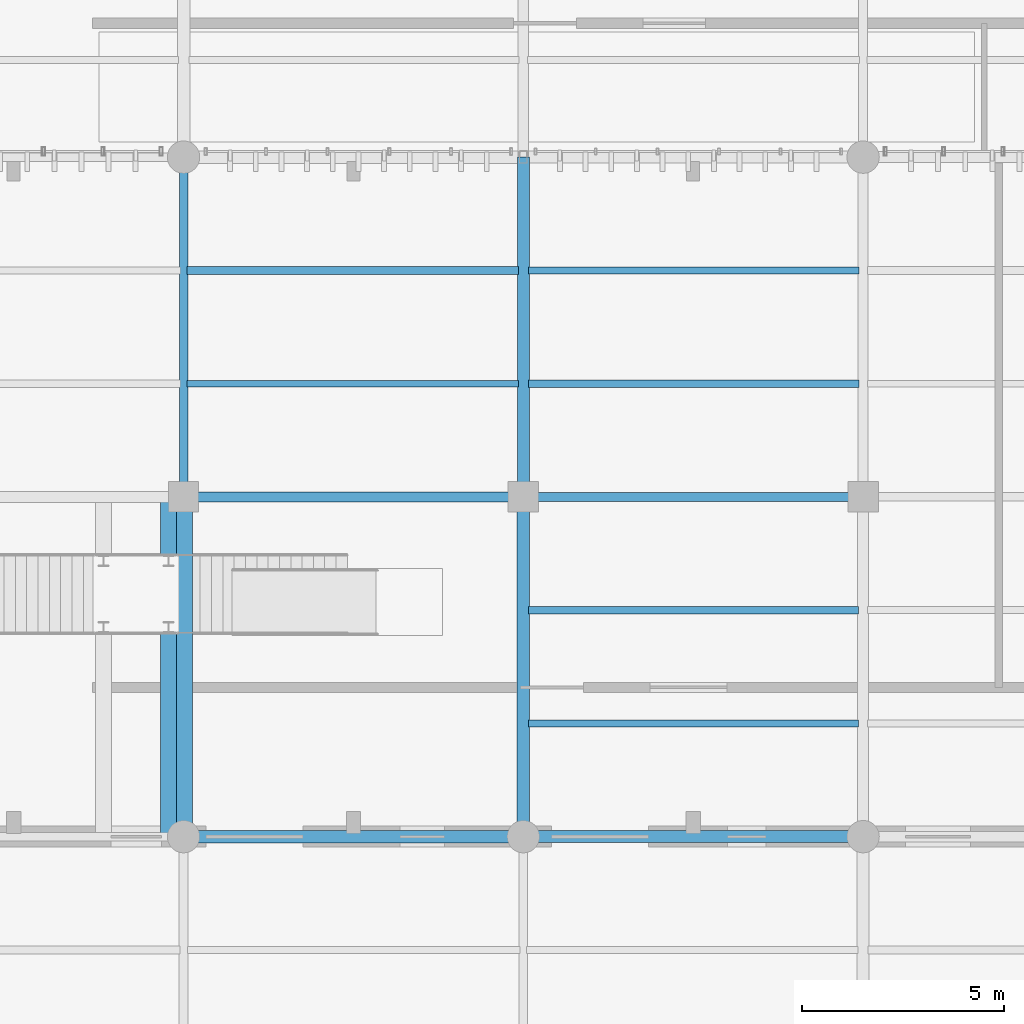
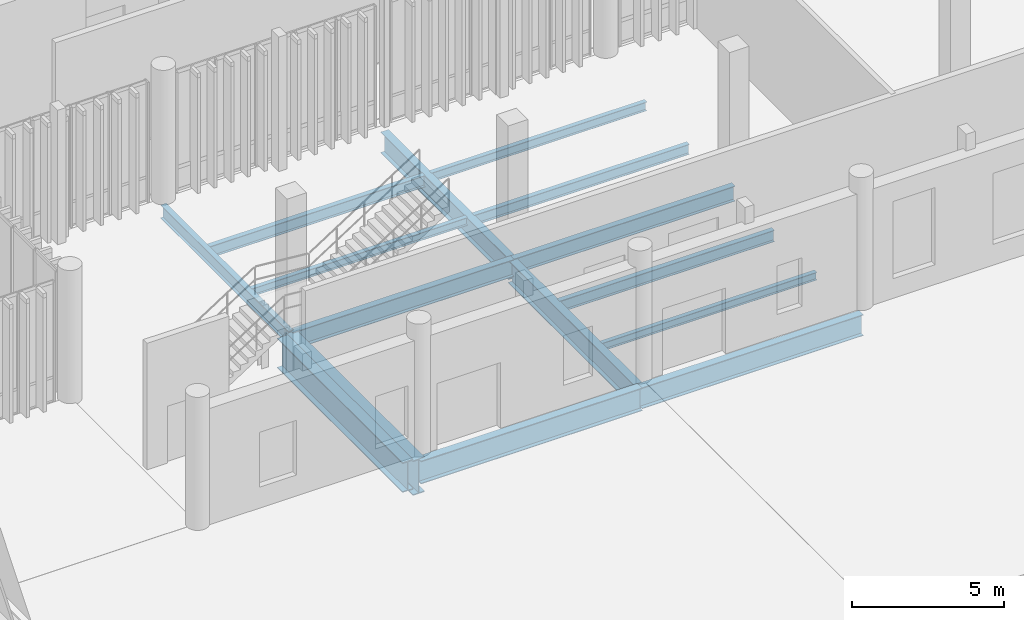
# One storey, part 23 of 112: 15 beams.
"""IFC4 building model written with IfcOpenShell, lengths in metres."""

import ifcopenshell
import ifcopenshell.guid

model = None  # the IFC model being written
_history = None  # IfcOwnerHistory: only IFC2X3 demands one
_inside = {}  # id of a spatial element -> (the spatial element, [elements in it])
_under = {}  # id of a project, library or spatial element -> (it, [spatial elements below it])
_declared = {}  # id of a project -> (the project, [libraries it declares])
_typed = {}  # id of a type object -> (the type object, [elements of that type])
_made_of = {}  # id of a material, layer set ... -> (it, [elements and type objects made of it])


def new_model(schema):
    """Start an empty IFC model of exactly this schema.

    Asked for "IFC4X3", IfcOpenShell would pick the latest addendum, in which some entities
    have other attributes; the version numbers below select the first issue.
    IFC2X3 requires an IfcOwnerHistory on every rooted entity: one is made here for all.
    """
    global model, _history
    if schema == "IFC4X3":
        model = ifcopenshell.file(schema_version=(4, 3, 0, 0))
    else:
        model = ifcopenshell.file(schema=schema)
    _inside.clear()
    _under.clear()
    _declared.clear()
    _typed.clear()
    _made_of.clear()
    _history = None
    if model.schema == "IFC2X3":
        org = make("IfcOrganization", Name="unknown")
        user = make(
            "IfcPersonAndOrganization",
            ThePerson=make("IfcPerson", FamilyName="unknown"),
            TheOrganization=org,
        )
        app = make(
            "IfcApplication",
            ApplicationDeveloper=org,
            Version="unknown",
            ApplicationFullName="unknown",
            ApplicationIdentifier="unknown",
        )
        _history = make(
            "IfcOwnerHistory",
            OwningUser=user,
            OwningApplication=app,
            ChangeAction="ADDED",
            CreationDate=0,
        )
    return model


def make(cls, **values):
    """One entity of the class cls with the attributes given. An attribute that is None is left unset."""
    return model.create_entity(
        cls, **{name: value for name, value in values.items() if value is not None}
    )


def rooted(cls, **values):
    """An entity with a GlobalId (a new one), such as an element, a storey or a relation."""
    return make(cls, GlobalId=ifcopenshell.guid.new(), OwnerHistory=_history, **values)


def si_unit(unit_type, name, prefix=None):
    """IfcSIUnit, for example si_unit("LENGTHUNIT", "METRE", prefix="MILLI")."""
    return make("IfcSIUnit", UnitType=unit_type, Prefix=prefix, Name=name)


def assignment(units):
    """IfcUnitAssignment: the units of a project."""
    return None if units is None else make("IfcUnitAssignment", Units=units)


def point(xyz):
    """IfcCartesianPoint."""
    return None if xyz is None else make("IfcCartesianPoint", Coordinates=xyz)


def direction(xyz):
    """IfcDirection."""
    return None if xyz is None else make("IfcDirection", DirectionRatios=xyz)


def frame(location, z_axis=None, x_axis=None):
    """IfcAxis2Placement3D, a coordinate frame: its origin and axes. An axis left out is left unset."""
    return make(
        "IfcAxis2Placement3D",
        Location=point(location),
        Axis=direction(z_axis),
        RefDirection=direction(x_axis),
    )


def frame_2d(location, x_axis=None):
    """IfcAxis2Placement2D, a coordinate frame in the plane: its origin and x axis."""
    return make(
        "IfcAxis2Placement2D", Location=point(location), RefDirection=direction(x_axis)
    )


def origin_with_axes():
    """The frame at (0, 0, 0) with the z axis (0, 0, 1) and the x axis (1, 0, 0) written out."""
    return frame((0.0, 0.0, 0.0), z_axis=(0.0, 0.0, 1.0), x_axis=(1.0, 0.0, 0.0))


def origin_2d_with_axis():
    """The frame at (0, 0) in the plane with the x axis (1, 0) written out."""
    return frame_2d((0.0, 0.0), x_axis=(1.0, 0.0))


def place(relative_to, where):
    """IfcLocalPlacement: puts the frame where relative to a parent placement (None: the world)."""
    return make(
        "IfcLocalPlacement", PlacementRelTo=relative_to, RelativePlacement=where
    )


def context(
    kind, dimensions, precision=None, world=None, true_north=None, identifier=None
):
    """IfcGeometricRepresentationContext, for example the 3D "Model" context."""
    return make(
        "IfcGeometricRepresentationContext",
        ContextIdentifier=identifier,
        ContextType=kind,
        CoordinateSpaceDimension=dimensions,
        Precision=precision,
        WorldCoordinateSystem=world,
        TrueNorth=true_north,
    )


def subcontext(parent, identifier, kind, view, scale=None):
    """IfcGeometricRepresentationSubContext, for example "Body" below "Model"."""
    return make(
        "IfcGeometricRepresentationSubContext",
        ContextIdentifier=identifier,
        ContextType=kind,
        ParentContext=parent,
        TargetScale=scale,
        TargetView=view,
    )


def project(units=None, contexts=None):
    """IfcProject with its units and contexts."""
    return rooted(
        "IfcProject",
        Name="project",
        RepresentationContexts=contexts,
        UnitsInContext=assignment(units),
    )


def spatial(cls, under=None, at=None, **own):
    """A site, building, storey or space (cls), placed at a placement, below another one or the project."""
    s = rooted(cls, ObjectPlacement=at, **own)
    if under is not None:
        _under.setdefault(under.id(), (under, []))[1].append(s)
    return s


def profile(cls, at=None, kind="AREA", **sizes):
    """A parametric profile (cls). Its sizes go by their IFC names, for example OverallWidth=200.0."""
    return make(cls, ProfileType=kind, Position=at, **sizes)


def i_section(**sizes):
    """IfcIShapeProfileDef."""
    return profile("IfcIShapeProfileDef", **sizes)


def extrude(swept, where, along, depth):
    """IfcExtrudedAreaSolid: the profile swept, set in the frame where, extruded along a direction by depth."""
    return make(
        "IfcExtrudedAreaSolid",
        SweptArea=swept,
        Position=where,
        ExtrudedDirection=direction(along),
        Depth=depth,
    )


def shape(context_of_items, identifier, shape_type, items):
    """IfcShapeRepresentation: the items that make up one representation, for example the "Body"."""
    return make(
        "IfcShapeRepresentation",
        ContextOfItems=context_of_items,
        RepresentationIdentifier=identifier,
        RepresentationType=shape_type,
        Items=items,
    )


def material(Name=None, Category=None):
    """IfcMaterial."""
    return make("IfcMaterial", Name=Name, Category=Category)


def material_profile(
    of_material, cross_section, Name=None, Category=None, Priority=None
):
    """IfcMaterialProfile: a cross section and its material."""
    return make(
        "IfcMaterialProfile",
        Name=Name,
        Material=of_material,
        Profile=cross_section,
        Priority=Priority,
        Category=Category,
    )


def profile_set(profiles, Name=None, composite=None):
    """IfcMaterialProfileSet."""
    return make(
        "IfcMaterialProfileSet",
        Name=Name,
        MaterialProfiles=profiles,
        CompositeProfile=composite,
    )


def made_of(thing, what):
    """Note that an element or type object is made of a material, layer set ...; save() writes the relation."""
    if what is not None:
        _made_of.setdefault(what.id(), (what, []))[1].append(thing)
    return thing


def type_object(cls, material=None, **own):
    """A type object (cls), such as IfcWallType, which elements share."""
    return made_of(rooted(cls, **own), material)


def element(
    cls,
    number,
    at=None,
    inside=None,
    cuts=None,
    type_object=None,
    material=None,
    context=None,
    identifier="Body",
    shape_type=None,
    held_by="IfcProductDefinitionShape",
    body=None,
    shapes=None,
    **own,
):
    """One element of the class cls, such as IfcWall. Its Tag is "e" and its number.

    at: its placement. inside: the storey or other place that contains it. cuts: it is an
    opening in that element (IfcRelVoidsElement). A single representation is given by context,
    identifier, shape_type and body (its items); several are given by shapes. held_by: the class
    of the entity that holds the representations. save() writes the other relations.
    """
    e = rooted(cls, Tag="e%d" % number, ObjectPlacement=at, **own)
    if body is not None:
        shapes = [shape(context, identifier, shape_type, body)]
    if shapes is not None:
        e.Representation = make(held_by, Representations=shapes)
    if inside is not None:
        _inside.setdefault(inside.id(), (inside, []))[1].append(e)
    if cuts is not None:
        rooted(
            "IfcRelVoidsElement", RelatingBuildingElement=cuts, RelatedOpeningElement=e
        )
    if type_object is not None:
        _typed.setdefault(type_object.id(), (type_object, []))[1].append(e)
    return made_of(e, material)


def aggregate(whole, parts):
    """IfcRelAggregates: a whole, such as a stair, and the parts it consists of."""
    return rooted("IfcRelAggregates", RelatingObject=whole, RelatedObjects=parts)


def save(model, path):
    """Write the relations noted so far, then the file.

    IfcRelAggregates (storeys below a building ...), IfcRelContainedInSpatialStructure (elements
    in a storey), IfcRelDefinesByType, IfcRelAssociatesMaterial and IfcRelDeclares: one each for
    every whole, place, type object, material and project.
    """
    for whole, parts in _under.values():
        aggregate(whole, parts)
    for where, things in _inside.values():
        rooted(
            "IfcRelContainedInSpatialStructure",
            RelatedElements=things,
            RelatingStructure=where,
        )
    for kind, things in _typed.values():
        rooted("IfcRelDefinesByType", RelatedObjects=things, RelatingType=kind)
    for what, things in _made_of.values():
        rooted("IfcRelAssociatesMaterial", RelatedObjects=things, RelatingMaterial=what)
    for by, libraries in _declared.values():
        rooted("IfcRelDeclares", RelatingContext=by, RelatedDefinitions=libraries)
    model.write(path)


model = new_model("IFC4")

# Units and contexts
model_context = context("Model", 3, precision=1e-05, world=origin_with_axes(), true_north=direction((0.0, 1.0)))
body_context = subcontext(model_context, "Body", "Model", "MODEL_VIEW")
ifc_project = project(units=[si_unit("LENGTHUNIT", "METRE"), si_unit("AREAUNIT", "SQUARE_METRE"), si_unit("VOLUMEUNIT", "CUBIC_METRE"), si_unit("PLANEANGLEUNIT", "RADIAN"), si_unit("MASSUNIT", "GRAM", prefix="KILO"), si_unit("THERMODYNAMICTEMPERATUREUNIT", "KELVIN")], contexts=[model_context])

# Site, building, storey
site_placement = place(None, origin_with_axes())
site = spatial("IfcSite", under=ifc_project, at=site_placement, CompositionType="ELEMENT")
building_placement = place(site_placement, origin_with_axes())
building = spatial("IfcBuilding", under=site, at=building_placement, Name="Montbau Bow Law Courts", CompositionType="ELEMENT")
storey_placement = place(building_placement, origin_with_axes())
storey = spatial("IfcBuildingStorey", under=building, at=storey_placement, Name="L00", CompositionType="ELEMENT", Elevation=0.0)

# Beams
ifc_material = material(Name="Steel CSA G40.21 Grade 350W (350 MPa)", Category="steel")
ifc_material_profile_1 = material_profile(ifc_material, i_section(OverallWidth=0.306, OverallDepth=0.919, WebThickness=0.0173, FlangeThickness=0.0279, at=origin_2d_with_axis()), Name="W920X253", Category="Main", Priority=0)
ifc_profile_set_1 = profile_set([ifc_material_profile_1], Name="Steel CSA G40.21 Grade 350W (350 MPa)")
beam_type_1 = type_object("IfcBeamType", Name="B-FLR-01", PredefinedType="BEAM", material=ifc_profile_set_1)
for number, where, z_axis, x_axis, name in (
    (1, (55.2, 22.2, -0.75), (1.0, 0.0, 0.0), (0.0, 1.0, 0.0), "BM-L00-S0161:bm2_0164"),
    (2, (63.6, 22.2, -0.75), (0.0, 1.0, 0.0), (-1.0, 0.0, 0.0), "BM-L00-S0282:bm2_0285"),
):
    element("IfcBeam", number, at=place(None, frame(where, z_axis=z_axis, x_axis=x_axis)), inside=storey, type_object=beam_type_1, Name=name, PredefinedType="BEAM", context=body_context, shape_type="SweptSolid", body=[
        extrude(i_section(OverallWidth=0.306, OverallDepth=0.919, WebThickness=0.0173, FlangeThickness=0.0279, at=origin_2d_with_axis()), origin_with_axes(), (0.0, 0.0, 1.0), 8.4),
    ])
ifc_material_profile_2 = material_profile(ifc_material, i_section(OverallWidth=0.293, OverallDepth=0.846, WebThickness=0.0154, FlangeThickness=0.0244, at=origin_2d_with_axis()), Name="W840X210", Category="Main", Priority=0)
ifc_profile_set_2 = profile_set([ifc_material_profile_2], Name="Steel CSA G40.21 Grade 350W (350 MPa)")
beam_type_2 = type_object("IfcBeamType", Name="B-FLR-02", PredefinedType="BEAM", material=ifc_profile_set_2)
for number, where, z_axis, x_axis, name in (
    (3, (63.6, 22.2, -0.713), (1.0, 0.0, 0.0), (0.0, 1.0, 0.0), "BM-L00-S0162:bm2_0165"),
    (4, (63.6, 30.6, -0.663), (0.0, 1.0, 0.0), (-1.0, 0.0, 0.0), "BM-L00-S0283:bm2_0286"),
):
    element("IfcBeam", number, at=place(None, frame(where, z_axis=z_axis, x_axis=x_axis)), inside=storey, type_object=beam_type_2, Name=name, PredefinedType="BEAM", context=body_context, shape_type="SweptSolid", body=[
        extrude(i_section(OverallWidth=0.293, OverallDepth=0.846, WebThickness=0.0154, FlangeThickness=0.0244, at=origin_2d_with_axis()), origin_with_axes(), (0.0, 0.0, 1.0), 8.4),
    ])
ifc_material_profile_3 = material_profile(ifc_material, i_section(OverallWidth=0.254, OverallDepth=0.688, WebThickness=0.0131, FlangeThickness=0.0211, at=origin_2d_with_axis()), Name="W690X152", Category="Main", Priority=0)
ifc_profile_set_3 = profile_set([ifc_material_profile_3], Name="Steel CSA G40.21 Grade 350W (350 MPa)")
beam_type_3 = type_object("IfcBeamType", Name="B-FLR-04", PredefinedType="BEAM", material=ifc_profile_set_3)
beam_1_placement = place(None, frame((55.2, 30.6, -0.584), z_axis=(1.0, 0.0, 0.0), x_axis=(0.0, 1.0, 0.0)))
element("IfcBeam", 5, at=beam_1_placement, inside=storey, type_object=beam_type_3, Name="BM-L00-S0175:bm2_0178", PredefinedType="BEAM", context=body_context, shape_type="SweptSolid", body=[
    extrude(i_section(OverallWidth=0.254, OverallDepth=0.688, WebThickness=0.0131, FlangeThickness=0.0211, at=origin_2d_with_axis()), origin_with_axes(), (0.0, 0.0, 1.0), 8.4),
])
ifc_material_profile_4 = material_profile(ifc_material, i_section(OverallWidth=0.229, OverallDepth=0.612, WebThickness=0.0119, FlangeThickness=0.0196, at=origin_2d_with_axis()), Name="W610X125", Category="Main", Priority=0)
ifc_profile_set_4 = profile_set([ifc_material_profile_4], Name="Steel CSA G40.21 Grade 350W (350 MPa)")
beam_type_4 = type_object("IfcBeamType", Name="B-FLR-05", PredefinedType="BEAM", material=ifc_profile_set_4)
beam_2_placement = place(None, frame((63.6, 30.6, -0.546), z_axis=(1.0, 0.0, 0.0), x_axis=(0.0, 1.0, 0.0)))
element("IfcBeam", 6, at=beam_2_placement, inside=storey, type_object=beam_type_4, Name="BM-L00-S0176:bm2_0179", PredefinedType="BEAM", context=body_context, shape_type="SweptSolid", body=[
    extrude(i_section(OverallWidth=0.229, OverallDepth=0.612, WebThickness=0.0119, FlangeThickness=0.0196, at=origin_2d_with_axis()), origin_with_axes(), (0.0, 0.0, 1.0), 8.4),
])
ifc_material_profile_5 = material_profile(ifc_material, i_section(OverallWidth=0.21, OverallDepth=0.537, WebThickness=0.0109, FlangeThickness=0.0174, at=origin_2d_with_axis()), Name="W530X101", Category="Main", Priority=0)
ifc_profile_set_5 = profile_set([ifc_material_profile_5], Name="Steel CSA G40.21 Grade 350W (350 MPa)")
beam_type_5 = type_object("IfcBeamType", Name="B-FLR-06", PredefinedType="BEAM", material=ifc_profile_set_5)
beam_3_placement = place(None, frame((55.2, 30.6, -0.508), z_axis=(0.0, 1.0, 0.0), x_axis=(-1.0, 0.0, 0.0)))
element("IfcBeam", 7, at=beam_3_placement, inside=storey, type_object=beam_type_5, Name="BM-L00-S0276:bm2_0279", PredefinedType="BEAM", context=body_context, shape_type="SweptSolid", body=[
    extrude(i_section(OverallWidth=0.21, OverallDepth=0.537, WebThickness=0.0109, FlangeThickness=0.0174, at=origin_2d_with_axis()), origin_with_axes(), (0.0, 0.0, 1.0), 8.4),
])
ifc_material_profile_6 = material_profile(ifc_material, i_section(OverallWidth=0.191, OverallDepth=0.46, WebThickness=0.0099, FlangeThickness=0.016, at=origin_2d_with_axis()), Name="W460X82", Category="Main", Priority=0)
ifc_profile_set_6 = profile_set([ifc_material_profile_6], Name="Steel CSA G40.21 Grade 350W (350 MPa)")
beam_type_6 = type_object("IfcBeamType", Name="B-JST-01", PredefinedType="JOIST", material=ifc_profile_set_6)
beam_4_placement = place(None, frame((55.281, 36.2, -0.47), z_axis=(1.0, 0.0, 0.0), x_axis=(0.0, 1.0, 0.0)))
element("IfcBeam", 8, at=beam_4_placement, inside=storey, type_object=beam_type_6, Name="JST-L00-S0056:jst2_0056", PredefinedType="JOIST", context=body_context, shape_type="SweptSolid", body=[
    extrude(i_section(OverallWidth=0.191, OverallDepth=0.46, WebThickness=0.0099, FlangeThickness=0.016, at=origin_2d_with_axis()), origin_with_axes(), (0.0, 0.0, 1.0), 8.196),
])
beam_5_placement = place(None, frame((63.729, 27.8, -0.52), z_axis=(1.0, 0.0, 0.0), x_axis=(0.0, 1.0, 0.0)))
element("IfcBeam", 9, at=beam_5_placement, inside=storey, type_object=beam_type_6, Name="JST-L00-S0064:jst2_0064", PredefinedType="JOIST", context=body_context, shape_type="SweptSolid", body=[
    extrude(i_section(OverallWidth=0.191, OverallDepth=0.46, WebThickness=0.0099, FlangeThickness=0.016, at=origin_2d_with_axis()), origin_with_axes(), (0.0, 0.0, 1.0), 8.162),
])
ifc_material_profile_7 = material_profile(ifc_material, i_section(OverallWidth=0.179, OverallDepth=0.41, WebThickness=0.0088, FlangeThickness=0.0144, at=origin_2d_with_axis()), Name="W410X67", Category="Main", Priority=0)
ifc_profile_set_7 = profile_set([ifc_material_profile_7], Name="Steel CSA G40.21 Grade 350W (350 MPa)")
beam_type_7 = type_object("IfcBeamType", Name="B-JST-02", PredefinedType="JOIST", material=ifc_profile_set_7)
beam_6_placement = place(None, frame((63.723, 33.4, -0.445), z_axis=(1.0, 0.0, 0.0), x_axis=(0.0, 1.0, 0.0)))
element("IfcBeam", 10, at=beam_6_placement, inside=storey, type_object=beam_type_7, Name="JST-L00-S0065:jst2_0065", PredefinedType="JOIST", context=body_context, shape_type="SweptSolid", body=[
    extrude(i_section(OverallWidth=0.179, OverallDepth=0.41, WebThickness=0.0088, FlangeThickness=0.0144, at=origin_2d_with_axis()), origin_with_axes(), (0.0, 0.0, 1.0), 8.174),
])
ifc_material_profile_8 = material_profile(ifc_material, i_section(OverallWidth=0.172, OverallDepth=0.358, WebThickness=0.0079, FlangeThickness=0.0131, at=origin_2d_with_axis()), Name="W360X57", Category="Main", Priority=0)
ifc_profile_set_8 = profile_set([ifc_material_profile_8], Name="Steel CSA G40.21 Grade 350W (350 MPa)")
beam_type_8 = type_object("IfcBeamType", Name="B-JST-03", PredefinedType="JOIST", material=ifc_profile_set_8)
beam_7_placement = place(None, frame((63.723, 36.2, -0.419), z_axis=(1.0, 0.0, 0.0), x_axis=(0.0, 1.0, 0.0)))
element("IfcBeam", 11, at=beam_7_placement, inside=storey, type_object=beam_type_8, Name="JST-L00-S0066:jst2_0066", PredefinedType="JOIST", context=body_context, shape_type="SweptSolid", body=[
    extrude(i_section(OverallWidth=0.172, OverallDepth=0.358, WebThickness=0.0079, FlangeThickness=0.0131, at=origin_2d_with_axis()), origin_with_axes(), (0.0, 0.0, 1.0), 8.174),
])
ifc_material_profile_9 = material_profile(ifc_material, i_section(OverallWidth=0.166, OverallDepth=0.313, WebThickness=0.0066, FlangeThickness=0.0112, at=origin_2d_with_axis()), Name="W310X45", Category="Main", Priority=0)
ifc_profile_set_9 = profile_set([ifc_material_profile_9], Name="Steel CSA G40.21 Grade 350W (350 MPa)")
beam_type_9 = type_object("IfcBeamType", Name="B-JST-04", PredefinedType="JOIST", material=ifc_profile_set_9)
beam_8_placement = place(None, frame((55.281, 33.4, -0.396), z_axis=(1.0, 0.0, 0.0), x_axis=(0.0, 1.0, 0.0)))
element("IfcBeam", 12, at=beam_8_placement, inside=storey, type_object=beam_type_9, Name="JST-L00-S0055:jst2_0055", PredefinedType="JOIST", context=body_context, shape_type="SweptSolid", body=[
    extrude(i_section(OverallWidth=0.166, OverallDepth=0.313, WebThickness=0.0066, FlangeThickness=0.0112, at=origin_2d_with_axis()), origin_with_axes(), (0.0, 0.0, 1.0), 8.196),
])
beam_9_placement = place(None, frame((63.729, 25.0, -0.447), z_axis=(1.0, 0.0, 0.0), x_axis=(0.0, 1.0, 0.0)))
element("IfcBeam", 13, at=beam_9_placement, inside=storey, type_object=beam_type_9, Name="JST-L00-S0063:jst2_0063", PredefinedType="JOIST", context=body_context, shape_type="SweptSolid", body=[
    extrude(i_section(OverallWidth=0.166, OverallDepth=0.313, WebThickness=0.0066, FlangeThickness=0.0112, at=origin_2d_with_axis()), origin_with_axes(), (0.0, 0.0, 1.0), 8.162),
])
ifc_material_profile_10 = material_profile(ifc_material, i_section(OverallWidth=0.45, OverallDepth=1.4, WebThickness=0.016, FlangeThickness=0.038, at=origin_2d_with_axis()), Name="WWF1400X358", Category="Main", Priority=0)
ifc_profile_set_10 = profile_set([ifc_material_profile_10], Name="Steel CSA G40.21 Grade 350W (350 MPa)")
beam_type_10 = type_object("IfcBeamType", Name="B-TRG-04", PredefinedType="USERDEFINED", material=ifc_profile_set_10)
beam_10_placement = place(None, frame((55.2, 22.2, -0.99), z_axis=(0.0, 1.0, 0.0), x_axis=(-1.0, 0.0, 0.0)))
element("IfcBeam", 14, at=beam_10_placement, inside=storey, type_object=beam_type_10, Name="TRG-L00-S1793:bm2_1796", ObjectType="GIRDER", PredefinedType="USERDEFINED", context=body_context, shape_type="SweptSolid", body=[
    extrude(i_section(OverallWidth=0.45, OverallDepth=1.4, WebThickness=0.016, FlangeThickness=0.038, at=origin_2d_with_axis()), origin_with_axes(), (0.0, 0.0, 1.0), 8.4),
])
ifc_material_profile_11 = material_profile(ifc_material, i_section(OverallWidth=0.4, OverallDepth=1.2, WebThickness=0.016, FlangeThickness=0.035, at=origin_2d_with_axis()), Name="WWF1200X302", Category="Main", Priority=0)
ifc_profile_set_11 = profile_set([ifc_material_profile_11], Name="Steel CSA G40.21 Grade 350W (350 MPa)")
beam_type_11 = type_object("IfcBeamType", Name="B-TRG-05", PredefinedType="USERDEFINED", material=ifc_profile_set_11)
beam_11_placement = place(None, frame((54.83, 22.275, -0.89), z_axis=(0.0, 1.0, 0.0), x_axis=(-1.0, 0.0, 0.0)))
element("IfcBeam", 15, at=beam_11_placement, inside=storey, type_object=beam_type_11, Name="TRG-L00-S1795:bm2_1798", ObjectType="GIRDER", PredefinedType="USERDEFINED", context=body_context, shape_type="SweptSolid", body=[
    extrude(i_section(OverallWidth=0.4, OverallDepth=1.2, WebThickness=0.016, FlangeThickness=0.035, at=origin_2d_with_axis()), origin_with_axes(), (0.0, 0.0, 1.0), 8.25),
])

save(model, "model.ifc")
